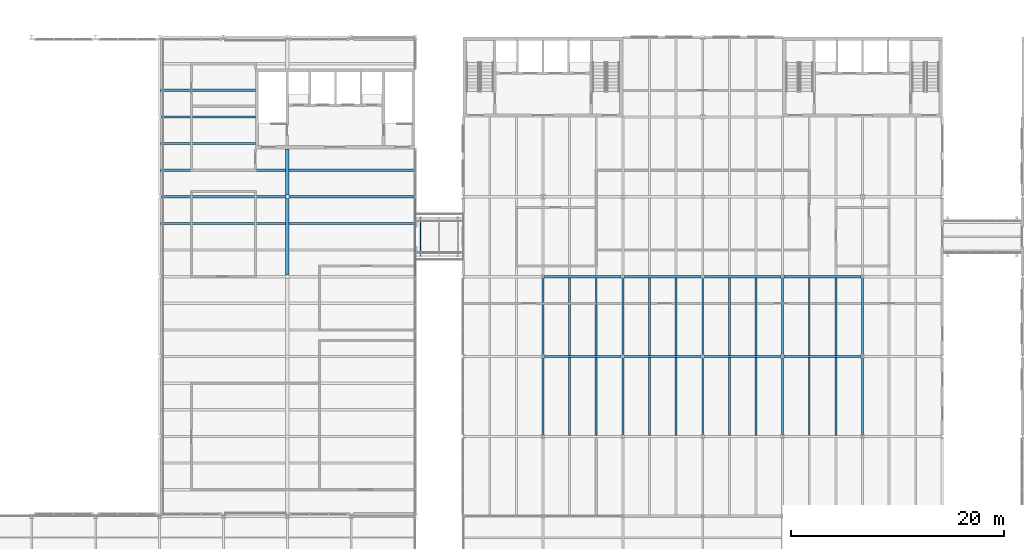
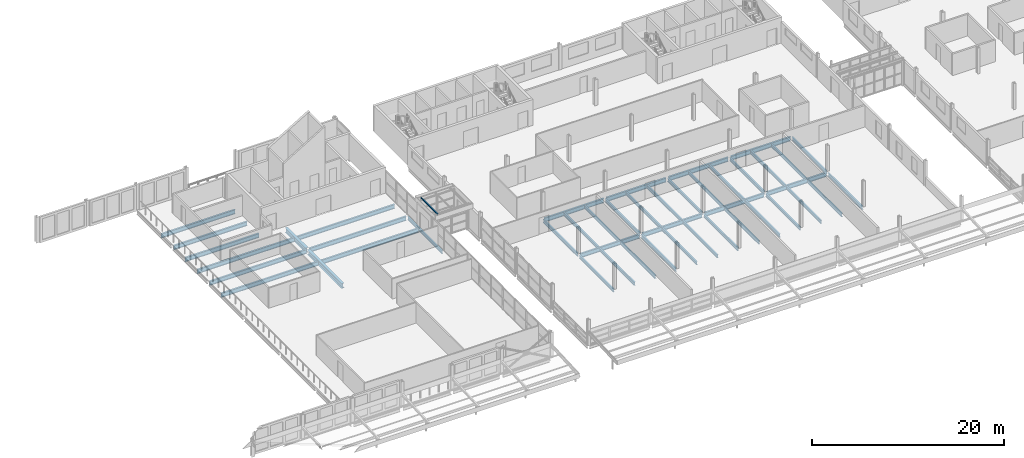
# One storey, part 41 of 214: 46 beams, 1 member.
"""IFC4 building model written with IfcOpenShell, lengths in metres."""

import ifcopenshell
import ifcopenshell.guid

model = None  # the IFC model being written
_history = None  # IfcOwnerHistory: only IFC2X3 demands one
_inside = {}  # id of a spatial element -> (the spatial element, [elements in it])
_under = {}  # id of a project, library or spatial element -> (it, [spatial elements below it])
_declared = {}  # id of a project -> (the project, [libraries it declares])
_typed = {}  # id of a type object -> (the type object, [elements of that type])
_made_of = {}  # id of a material, layer set ... -> (it, [elements and type objects made of it])


def new_model(schema):
    """Start an empty IFC model of exactly this schema.

    Asked for "IFC4X3", IfcOpenShell would pick the latest addendum, in which some entities
    have other attributes; the version numbers below select the first issue.
    IFC2X3 requires an IfcOwnerHistory on every rooted entity: one is made here for all.
    """
    global model, _history
    if schema == "IFC4X3":
        model = ifcopenshell.file(schema_version=(4, 3, 0, 0))
    else:
        model = ifcopenshell.file(schema=schema)
    _inside.clear()
    _under.clear()
    _declared.clear()
    _typed.clear()
    _made_of.clear()
    _history = None
    if model.schema == "IFC2X3":
        org = make("IfcOrganization", Name="unknown")
        user = make(
            "IfcPersonAndOrganization",
            ThePerson=make("IfcPerson", FamilyName="unknown"),
            TheOrganization=org,
        )
        app = make(
            "IfcApplication",
            ApplicationDeveloper=org,
            Version="unknown",
            ApplicationFullName="unknown",
            ApplicationIdentifier="unknown",
        )
        _history = make(
            "IfcOwnerHistory",
            OwningUser=user,
            OwningApplication=app,
            ChangeAction="ADDED",
            CreationDate=0,
        )
    return model


def make(cls, **values):
    """One entity of the class cls with the attributes given. An attribute that is None is left unset."""
    return model.create_entity(
        cls, **{name: value for name, value in values.items() if value is not None}
    )


def rooted(cls, **values):
    """An entity with a GlobalId (a new one), such as an element, a storey or a relation."""
    return make(cls, GlobalId=ifcopenshell.guid.new(), OwnerHistory=_history, **values)


def si_unit(unit_type, name, prefix=None):
    """IfcSIUnit, for example si_unit("LENGTHUNIT", "METRE", prefix="MILLI")."""
    return make("IfcSIUnit", UnitType=unit_type, Prefix=prefix, Name=name)


def assignment(units):
    """IfcUnitAssignment: the units of a project."""
    return None if units is None else make("IfcUnitAssignment", Units=units)


def point(xyz):
    """IfcCartesianPoint."""
    return None if xyz is None else make("IfcCartesianPoint", Coordinates=xyz)


def direction(xyz):
    """IfcDirection."""
    return None if xyz is None else make("IfcDirection", DirectionRatios=xyz)


def frame(location, z_axis=None, x_axis=None):
    """IfcAxis2Placement3D, a coordinate frame: its origin and axes. An axis left out is left unset."""
    return make(
        "IfcAxis2Placement3D",
        Location=point(location),
        Axis=direction(z_axis),
        RefDirection=direction(x_axis),
    )


def frame_2d(location, x_axis=None):
    """IfcAxis2Placement2D, a coordinate frame in the plane: its origin and x axis."""
    return make(
        "IfcAxis2Placement2D", Location=point(location), RefDirection=direction(x_axis)
    )


def origin():
    """The frame at (0, 0, 0) with its axes left unset."""
    return frame((0.0, 0.0, 0.0))


def origin_2d():
    """The frame at (0, 0) in the plane with its x axis left unset."""
    return frame_2d((0.0, 0.0))


def place(relative_to, where):
    """IfcLocalPlacement: puts the frame where relative to a parent placement (None: the world)."""
    return make(
        "IfcLocalPlacement", PlacementRelTo=relative_to, RelativePlacement=where
    )


def context(
    kind, dimensions, precision=None, world=None, true_north=None, identifier=None
):
    """IfcGeometricRepresentationContext, for example the 3D "Model" context."""
    return make(
        "IfcGeometricRepresentationContext",
        ContextIdentifier=identifier,
        ContextType=kind,
        CoordinateSpaceDimension=dimensions,
        Precision=precision,
        WorldCoordinateSystem=world,
        TrueNorth=true_north,
    )


def subcontext(parent, identifier, kind, view, scale=None):
    """IfcGeometricRepresentationSubContext, for example "Body" below "Model"."""
    return make(
        "IfcGeometricRepresentationSubContext",
        ContextIdentifier=identifier,
        ContextType=kind,
        ParentContext=parent,
        TargetScale=scale,
        TargetView=view,
    )


def project(units=None, contexts=None):
    """IfcProject with its units and contexts."""
    return rooted(
        "IfcProject",
        Name="project",
        RepresentationContexts=contexts,
        UnitsInContext=assignment(units),
    )


def spatial(cls, under=None, at=None, **own):
    """A site, building, storey or space (cls), placed at a placement, below another one or the project."""
    s = rooted(cls, ObjectPlacement=at, **own)
    if under is not None:
        _under.setdefault(under.id(), (under, []))[1].append(s)
    return s


def profile(cls, at=None, kind="AREA", **sizes):
    """A parametric profile (cls). Its sizes go by their IFC names, for example OverallWidth=200.0."""
    return make(cls, ProfileType=kind, Position=at, **sizes)


def i_section(**sizes):
    """IfcIShapeProfileDef."""
    return profile("IfcIShapeProfileDef", **sizes)


def extrude(swept, where, along, depth):
    """IfcExtrudedAreaSolid: the profile swept, set in the frame where, extruded along a direction by depth."""
    return make(
        "IfcExtrudedAreaSolid",
        SweptArea=swept,
        Position=where,
        ExtrudedDirection=direction(along),
        Depth=depth,
    )


def shape(context_of_items, identifier, shape_type, items):
    """IfcShapeRepresentation: the items that make up one representation, for example the "Body"."""
    return make(
        "IfcShapeRepresentation",
        ContextOfItems=context_of_items,
        RepresentationIdentifier=identifier,
        RepresentationType=shape_type,
        Items=items,
    )


def material(Name=None, Category=None):
    """IfcMaterial."""
    return make("IfcMaterial", Name=Name, Category=Category)


def material_profile(
    of_material, cross_section, Name=None, Category=None, Priority=None
):
    """IfcMaterialProfile: a cross section and its material."""
    return make(
        "IfcMaterialProfile",
        Name=Name,
        Material=of_material,
        Profile=cross_section,
        Priority=Priority,
        Category=Category,
    )


def profile_set(profiles, Name=None, composite=None):
    """IfcMaterialProfileSet."""
    return make(
        "IfcMaterialProfileSet",
        Name=Name,
        MaterialProfiles=profiles,
        CompositeProfile=composite,
    )


def made_of(thing, what):
    """Note that an element or type object is made of a material, layer set ...; save() writes the relation."""
    if what is not None:
        _made_of.setdefault(what.id(), (what, []))[1].append(thing)
    return thing


def type_object(cls, material=None, **own):
    """A type object (cls), such as IfcWallType, which elements share."""
    return made_of(rooted(cls, **own), material)


def element(
    cls,
    number,
    at=None,
    inside=None,
    cuts=None,
    type_object=None,
    material=None,
    context=None,
    identifier="Body",
    shape_type=None,
    held_by="IfcProductDefinitionShape",
    body=None,
    shapes=None,
    **own,
):
    """One element of the class cls, such as IfcWall. Its Tag is "e" and its number.

    at: its placement. inside: the storey or other place that contains it. cuts: it is an
    opening in that element (IfcRelVoidsElement). A single representation is given by context,
    identifier, shape_type and body (its items); several are given by shapes. held_by: the class
    of the entity that holds the representations. save() writes the other relations.
    """
    e = rooted(cls, Tag="e%d" % number, ObjectPlacement=at, **own)
    if body is not None:
        shapes = [shape(context, identifier, shape_type, body)]
    if shapes is not None:
        e.Representation = make(held_by, Representations=shapes)
    if inside is not None:
        _inside.setdefault(inside.id(), (inside, []))[1].append(e)
    if cuts is not None:
        rooted(
            "IfcRelVoidsElement", RelatingBuildingElement=cuts, RelatedOpeningElement=e
        )
    if type_object is not None:
        _typed.setdefault(type_object.id(), (type_object, []))[1].append(e)
    return made_of(e, material)


def aggregate(whole, parts):
    """IfcRelAggregates: a whole, such as a stair, and the parts it consists of."""
    return rooted("IfcRelAggregates", RelatingObject=whole, RelatedObjects=parts)


def save(model, path):
    """Write the relations noted so far, then the file.

    IfcRelAggregates (storeys below a building ...), IfcRelContainedInSpatialStructure (elements
    in a storey), IfcRelDefinesByType, IfcRelAssociatesMaterial and IfcRelDeclares: one each for
    every whole, place, type object, material and project.
    """
    for whole, parts in _under.values():
        aggregate(whole, parts)
    for where, things in _inside.values():
        rooted(
            "IfcRelContainedInSpatialStructure",
            RelatedElements=things,
            RelatingStructure=where,
        )
    for kind, things in _typed.values():
        rooted("IfcRelDefinesByType", RelatedObjects=things, RelatingType=kind)
    for what, things in _made_of.values():
        rooted("IfcRelAssociatesMaterial", RelatedObjects=things, RelatingMaterial=what)
    for by, libraries in _declared.values():
        rooted("IfcRelDeclares", RelatingContext=by, RelatedDefinitions=libraries)
    model.write(path)


model = new_model("IFC4")

# Units and contexts
model_context = context("Model", 3, precision=1e-05, world=origin(), true_north=direction((0.0, 1.0)))
body_context = subcontext(model_context, "Body", "Model", "MODEL_VIEW")
ifc_project = project(units=[si_unit("LENGTHUNIT", "METRE"), si_unit("AREAUNIT", "SQUARE_METRE"), si_unit("VOLUMEUNIT", "CUBIC_METRE"), si_unit("PLANEANGLEUNIT", "RADIAN"), si_unit("MASSUNIT", "GRAM", prefix="KILO")], contexts=[model_context])

# Site, building, storey
site_placement = place(None, origin())
site = spatial("IfcSite", under=ifc_project, at=site_placement, CompositionType="ELEMENT")
building_placement = place(site_placement, origin())
building = spatial("IfcBuilding", under=site, at=building_placement, Name="Parallax Yard Mobility Hub", CompositionType="ELEMENT")
storey_placement = place(building_placement, frame((0.0, 0.0, 3.300048828125)))
storey = spatial("IfcBuildingStorey", under=building, at=storey_placement, Name="L01", CompositionType="ELEMENT", Elevation=3.300048828125)

# Member
ifc_material = material(Name="Steel ASTM A992", Category="steel")
ifc_material_profile_1 = material_profile(ifc_material, i_section(OverallWidth=0.10205078125, OverallDepth=0.153076171875, WebThickness=0.005859375, FlangeThickness=0.007080078125, at=origin_2d()), Name="W150x18")
ifc_profile_set_1 = profile_set([ifc_material_profile_1], Name="Steel ASTM A992")
member_type = type_object("IfcMemberType", Name="Bridge cross rafter W150x18", PredefinedType="RAFTER", material=ifc_profile_set_1)
member_placement = place(storey_placement, frame((93.5, 31.952880859375, 3.17236328125), z_axis=(0.0, 1.0, 0.0), x_axis=(-1.0, 0.0, 0.0)))
element("IfcMember", 1, at=member_placement, inside=storey, type_object=member_type, Name="Bridge BR1 level L01 cross rafter 1", PredefinedType="RAFTER", context=body_context, shape_type="SweptSolid", body=[
    extrude(i_section(OverallWidth=0.10205078125, OverallDepth=0.153076171875, WebThickness=0.005859375, FlangeThickness=0.007080078125, at=origin_2d()), origin(), (0.0, 0.0, 1.0), 3.59423828125),
])

# Beams
ifc_material_profile_2 = material_profile(ifc_material, i_section(OverallWidth=0.177978515625, OverallDepth=0.406005859375, WebThickness=0.0078125, FlangeThickness=0.0126953125, FilletRadius=0.01025390625, at=origin_2d()), Name="W410x60")
ifc_profile_set_2 = profile_set([ifc_material_profile_2], Name="Steel ASTM A992")
beam_type_1 = type_object("IfcBeamType", Name="W410x60 edge beam", PredefinedType="SPANDREL", material=ifc_profile_set_2)
beam_1_placement = place(storey_placement, frame((93.0, 30.153564453125, -0.343017578125), z_axis=(0.0, 1.0, 0.0), x_axis=(-1.0, 0.0, 0.0)))
element("IfcBeam", 2, at=beam_1_placement, inside=storey, type_object=beam_type_1, Name="Edge beam SB1 level L01, fold line F15 of bus and taxi deck, span 4", PredefinedType="SPANDREL", context=body_context, shape_type="SweptSolid", body=[
    extrude(i_section(OverallWidth=0.177978515625, OverallDepth=0.406005859375, WebThickness=0.0078125, FlangeThickness=0.0126953125, FilletRadius=0.01025390625, at=origin_2d()), origin(), (0.0, 0.0, 1.0), 7.19287109375),
])
ifc_material_profile_3 = material_profile(ifc_material, i_section(OverallWidth=0.177978515625, OverallDepth=0.406005859375, WebThickness=0.0078125, FlangeThickness=0.0126953125, FilletRadius=0.01025390625, at=origin_2d()), Name="W410x60")
ifc_profile_set_3 = profile_set([ifc_material_profile_3], Name="Steel ASTM A992")
beam_type_2 = type_object("IfcBeamType", Name="W410x60 secondary beam", PredefinedType="JOIST", material=ifc_profile_set_3)
for number, where, z_axis, x_axis, name in (
    (3, (107.5, 15.1044921875, -0.343017578125), (0.0, 1.0, 0.0), (-1.0, 0.0, 0.0), "Secondary beam B1 level L01, 2.5 m east of line 15 of mobility service centre and workshops, span 2"),
    (4, (107.5, 22.6044921875, -0.343017578125), (0.0, 1.0, 0.0), (-1.0, 0.0, 0.0), "Secondary beam B1 level L01, 2.5 m east of line 15 of mobility service centre and workshops, span 3"),
    (5, (115.0, 15.1044921875, -0.343017578125), (0.0, 1.0, 0.0), (-1.0, 0.0, 0.0), "Secondary beam B1 level L01, 2.5 m east of line 16 of mobility service centre and workshops, span 2"),
    (6, (115.0, 22.6044921875, -0.343017578125), (0.0, 1.0, 0.0), (-1.0, 0.0, 0.0), "Secondary beam B1 level L01, 2.5 m east of line 16 of mobility service centre and workshops, span 3"),
    (7, (122.5, 15.1044921875, -0.343017578125), (0.0, 1.0, 0.0), (-1.0, 0.0, 0.0), "Secondary beam B1 level L01, 2.5 m east of line 17 of mobility service centre and workshops, span 2"),
    (8, (122.5, 22.6044921875, -0.343017578125), (0.0, 1.0, 0.0), (-1.0, 0.0, 0.0), "Secondary beam B1 level L01, 2.5 m east of line 17 of mobility service centre and workshops, span 3"),
    (9, (130.0, 15.1044921875, -0.343017578125), (0.0, 1.0, 0.0), (-1.0, 0.0, 0.0), "Secondary beam B1 level L01, 2.5 m east of line 18 of mobility service centre and workshops, span 2"),
    (10, (130.0, 22.6044921875, -0.343017578125), (0.0, 1.0, 0.0), (-1.0, 0.0, 0.0), "Secondary beam B1 level L01, 2.5 m east of line 18 of mobility service centre and workshops, span 3"),
    (11, (110.0, 15.1044921875, -0.343017578125), (0.0, 1.0, 0.0), (-1.0, 0.0, 0.0), "Secondary beam B1 level L01, 5 m east of line 15 of mobility service centre and workshops, span 2"),
    (12, (110.0, 22.6044921875, -0.343017578125), (0.0, 1.0, 0.0), (-1.0, 0.0, 0.0), "Secondary beam B1 level L01, 5 m east of line 15 of mobility service centre and workshops, span 3"),
    (13, (117.5, 15.1044921875, -0.343017578125), (0.0, 1.0, 0.0), (-1.0, 0.0, 0.0), "Secondary beam B1 level L01, 5 m east of line 16 of mobility service centre and workshops, span 2"),
    (14, (117.5, 22.6044921875, -0.343017578125), (0.0, 1.0, 0.0), (-1.0, 0.0, 0.0), "Secondary beam B1 level L01, 5 m east of line 16 of mobility service centre and workshops, span 3"),
    (15, (125.0, 15.1044921875, -0.343017578125), (0.0, 1.0, 0.0), (-1.0, 0.0, 0.0), "Secondary beam B1 level L01, 5 m east of line 17 of mobility service centre and workshops, span 2"),
    (16, (125.0, 22.6044921875, -0.343017578125), (0.0, 1.0, 0.0), (-1.0, 0.0, 0.0), "Secondary beam B1 level L01, 5 m east of line 17 of mobility service centre and workshops, span 3"),
    (17, (132.5, 15.1044921875, -0.343017578125), (0.0, 1.0, 0.0), (-1.0, 0.0, 0.0), "Secondary beam B1 level L01, 5 m east of line 18 of mobility service centre and workshops, span 2"),
    (18, (132.5, 22.6044921875, -0.343017578125), (0.0, 1.0, 0.0), (-1.0, 0.0, 0.0), "Secondary beam B1 level L01, 5 m east of line 18 of mobility service centre and workshops, span 3"),
):
    element("IfcBeam", number, at=place(storey_placement, frame(where, z_axis=z_axis, x_axis=x_axis)), inside=storey, type_object=beam_type_2, Name=name, PredefinedType="JOIST", context=body_context, shape_type="SweptSolid", body=[
        extrude(i_section(OverallWidth=0.177978515625, OverallDepth=0.406005859375, WebThickness=0.0078125, FlangeThickness=0.0126953125, FilletRadius=0.01025390625, at=origin_2d()), origin(), (0.0, 0.0, 1.0), 7.291015625),
    ])
ifc_material_profile_4 = material_profile(ifc_material, i_section(OverallWidth=0.178955078125, OverallDepth=0.408935546875, WebThickness=0.0087890625, FlangeThickness=0.014404296875, FilletRadius=0.01025390625, at=origin_2d()), Name="W410x67")
ifc_profile_set_4 = profile_set([ifc_material_profile_4], Name="Steel ASTM A992")
beam_type_3 = type_object("IfcBeamType", Name="W410x67 girder", PredefinedType="BEAM", material=ifc_profile_set_4)
for number, where, z_axis, x_axis, name in (
    (19, (105.0, 15.158935546875, -0.344482421875), (0.0, 1.0, 0.0), (-1.0, 0.0, 0.0), "Girder G1 level L01, line 15 of mobility service centre and workshops, span 2"),
    (20, (105.0, 22.658935546875, -0.344482421875), (0.0, 1.0, 0.0), (-1.0, 0.0, 0.0), "Girder G1 level L01, line 15 of mobility service centre and workshops, span 3"),
    (21, (112.5, 15.158935546875, -0.344482421875), (0.0, 1.0, 0.0), (-1.0, 0.0, 0.0), "Girder G1 level L01, line 16 of mobility service centre and workshops, span 2"),
    (22, (112.5, 22.658935546875, -0.344482421875), (0.0, 1.0, 0.0), (-1.0, 0.0, 0.0), "Girder G1 level L01, line 16 of mobility service centre and workshops, span 3"),
    (23, (120.0, 15.158935546875, -0.344482421875), (0.0, 1.0, 0.0), (-1.0, 0.0, 0.0), "Girder G1 level L01, line 17 of mobility service centre and workshops, span 2"),
    (24, (120.0, 22.658935546875, -0.344482421875), (0.0, 1.0, 0.0), (-1.0, 0.0, 0.0), "Girder G1 level L01, line 17 of mobility service centre and workshops, span 3"),
    (25, (127.5, 15.158935546875, -0.344482421875), (0.0, 1.0, 0.0), (-1.0, 0.0, 0.0), "Girder G1 level L01, line 18 of mobility service centre and workshops, span 2"),
    (26, (127.5, 22.658935546875, -0.344482421875), (0.0, 1.0, 0.0), (-1.0, 0.0, 0.0), "Girder G1 level L01, line 18 of mobility service centre and workshops, span 3"),
    (27, (135.0, 15.158935546875, -0.344482421875), (0.0, 1.0, 0.0), (-1.0, 0.0, 0.0), "Girder G1 level L01, line 19 of mobility service centre and workshops, span 2"),
    (28, (135.0, 22.658935546875, -0.344482421875), (0.0, 1.0, 0.0), (-1.0, 0.0, 0.0), "Girder G1 level L01, line 19 of mobility service centre and workshops, span 3"),
):
    element("IfcBeam", number, at=place(storey_placement, frame(where, z_axis=z_axis, x_axis=x_axis)), inside=storey, type_object=beam_type_3, Name=name, PredefinedType="BEAM", context=body_context, shape_type="SweptSolid", body=[
        extrude(i_section(OverallWidth=0.178955078125, OverallDepth=0.408935546875, WebThickness=0.0087890625, FlangeThickness=0.014404296875, FilletRadius=0.01025390625, at=origin_2d()), origin(), (0.0, 0.0, 1.0), 7.18212890625),
    ])
ifc_material_profile_5 = material_profile(ifc_material, i_section(OverallWidth=0.208984375, OverallDepth=0.532958984375, WebThickness=0.01025390625, FlangeThickness=0.015625, FilletRadius=0.0126953125, at=origin_2d()), Name="W530x92")
ifc_profile_set_5 = profile_set([ifc_material_profile_5], Name="Steel ASTM A992")
beam_type_4 = type_object("IfcBeamType", Name="W530x92 longitudinal beam", PredefinedType="BEAM", material=ifc_profile_set_5)
for number, where, z_axis, x_axis, name in (
    (29, (105.153564453125, 22.5, -0.406494140625), (1.0, 0.0, 0.0), (0.0, 1.0, 0.0), "Longitudinal beam SB6 level L01, line D of mobility service centre and workshops, span 2"),
    (30, (112.653564453125, 22.5, -0.406494140625), (1.0, 0.0, 0.0), (0.0, 1.0, 0.0), "Longitudinal beam SB6 level L01, line D of mobility service centre and workshops, span 3"),
    (31, (120.153564453125, 22.5, -0.406494140625), (1.0, 0.0, 0.0), (0.0, 1.0, 0.0), "Longitudinal beam SB6 level L01, line D of mobility service centre and workshops, span 4"),
    (32, (127.653564453125, 22.5, -0.406494140625), (1.0, 0.0, 0.0), (0.0, 1.0, 0.0), "Longitudinal beam SB6 level L01, line D of mobility service centre and workshops, span 5"),
    (33, (105.153564453125, 30.0, -0.406494140625), (1.0, 0.0, 0.0), (0.0, 1.0, 0.0), "Longitudinal beam SB6 level L01, line E of mobility service centre and workshops, span 2"),
    (34, (112.653564453125, 30.0, -0.406494140625), (1.0, 0.0, 0.0), (0.0, 1.0, 0.0), "Longitudinal beam SB6 level L01, line E of mobility service centre and workshops, span 3"),
    (35, (120.153564453125, 30.0, -0.406494140625), (1.0, 0.0, 0.0), (0.0, 1.0, 0.0), "Longitudinal beam SB6 level L01, line E of mobility service centre and workshops, span 4"),
    (36, (127.653564453125, 30.0, -0.406494140625), (1.0, 0.0, 0.0), (0.0, 1.0, 0.0), "Longitudinal beam SB6 level L01, line E of mobility service centre and workshops, span 5"),
):
    element("IfcBeam", number, at=place(storey_placement, frame(where, z_axis=z_axis, x_axis=x_axis)), inside=storey, type_object=beam_type_4, Name=name, PredefinedType="BEAM", context=body_context, shape_type="SweptSolid", body=[
        extrude(i_section(OverallWidth=0.208984375, OverallDepth=0.532958984375, WebThickness=0.01025390625, FlangeThickness=0.015625, FilletRadius=0.0126953125, at=origin_2d()), origin(), (0.0, 0.0, 1.0), 7.19287109375),
    ])
ifc_material_profile_6 = material_profile(ifc_material, i_section(OverallWidth=0.208984375, OverallDepth=0.532958984375, WebThickness=0.01025390625, FlangeThickness=0.015625, FilletRadius=0.0126953125, at=origin_2d()), Name="W530x92")
ifc_profile_set_6 = profile_set([ifc_material_profile_6], Name="Steel ASTM A992")
beam_type_5 = type_object("IfcBeamType", Name="W530x92 secondary beam", PredefinedType="JOIST", material=ifc_profile_set_6)
for number, where, z_axis, x_axis, name in (
    (37, (69.089111328125, 40.0, -0.406494140625), (1.0, 0.0, 0.0), (0.0, 1.0, 0.0), "Secondary beam B2 level L01, 2.5 m north of line F of bus and taxi deck, span 1"),
    (38, (81.16259765625, 40.0, -0.406494140625), (1.0, 0.0, 0.0), (0.0, 1.0, 0.0), "Secondary beam B2 level L01, 2.5 m north of line F of bus and taxi deck, span 2"),
):
    element("IfcBeam", number, at=place(storey_placement, frame(where, z_axis=z_axis, x_axis=x_axis)), inside=storey, type_object=beam_type_5, Name=name, PredefinedType="JOIST", context=body_context, shape_type="SweptSolid", body=[
        extrude(i_section(OverallWidth=0.208984375, OverallDepth=0.532958984375, WebThickness=0.01025390625, FlangeThickness=0.015625, FilletRadius=0.0126953125, at=origin_2d()), origin(), (0.0, 0.0, 1.0), 11.748291015625),
    ])
beam_2_placement = place(storey_placement, frame((69.089111328125, 47.5, -0.406494140625), z_axis=(1.0, 0.0, 0.0), x_axis=(0.0, 1.0, 0.0)))
element("IfcBeam", 39, at=beam_2_placement, inside=storey, type_object=beam_type_5, Name="Secondary beam B2 level L01, 2.5 m north of line G of bus and taxi deck, span 1", PredefinedType="JOIST", context=body_context, shape_type="SweptSolid", body=[
    extrude(i_section(OverallWidth=0.208984375, OverallDepth=0.532958984375, WebThickness=0.01025390625, FlangeThickness=0.015625, FilletRadius=0.0126953125, at=origin_2d()), origin(), (0.0, 0.0, 1.0), 8.910888671875),
])
for number, where, z_axis, x_axis, name in (
    (40, (69.089111328125, 35.0, -0.406494140625), (1.0, 0.0, 0.0), (0.0, 1.0, 0.0), "Secondary beam B2 level L01, 5 m north of line E of bus and taxi deck, span 1"),
    (41, (81.16259765625, 35.0, -0.406494140625), (1.0, 0.0, 0.0), (0.0, 1.0, 0.0), "Secondary beam B2 level L01, 5 m north of line E of bus and taxi deck, span 2"),
):
    element("IfcBeam", number, at=place(storey_placement, frame(where, z_axis=z_axis, x_axis=x_axis)), inside=storey, type_object=beam_type_5, Name=name, PredefinedType="JOIST", context=body_context, shape_type="SweptSolid", body=[
        extrude(i_section(OverallWidth=0.208984375, OverallDepth=0.532958984375, WebThickness=0.01025390625, FlangeThickness=0.015625, FilletRadius=0.0126953125, at=origin_2d()), origin(), (0.0, 0.0, 1.0), 11.748291015625),
    ])
beam_3_placement = place(storey_placement, frame((69.089111328125, 42.5, -0.406494140625), z_axis=(1.0, 0.0, 0.0), x_axis=(0.0, 1.0, 0.0)))
element("IfcBeam", 42, at=beam_3_placement, inside=storey, type_object=beam_type_5, Name="Secondary beam B2 level L01, 5 m north of line F of bus and taxi deck, span 1", PredefinedType="JOIST", context=body_context, shape_type="SweptSolid", body=[
    extrude(i_section(OverallWidth=0.208984375, OverallDepth=0.532958984375, WebThickness=0.01025390625, FlangeThickness=0.015625, FilletRadius=0.0126953125, at=origin_2d()), origin(), (0.0, 0.0, 1.0), 8.910888671875),
])
for number, where, z_axis, x_axis, name in (
    (43, (69.152587890625, 37.5, -0.406494140625), (1.0, 0.0, 0.0), (0.0, 1.0, 0.0), "Secondary beam B2 level L01, line F of bus and taxi deck, span 1"),
    (44, (81.152587890625, 37.5, -0.406494140625), (1.0, 0.0, 0.0), (0.0, 1.0, 0.0), "Secondary beam B2 level L01, line F of bus and taxi deck, span 2"),
):
    element("IfcBeam", number, at=place(storey_placement, frame(where, z_axis=z_axis, x_axis=x_axis)), inside=storey, type_object=beam_type_5, Name=name, PredefinedType="JOIST", context=body_context, shape_type="SweptSolid", body=[
        extrude(i_section(OverallWidth=0.208984375, OverallDepth=0.532958984375, WebThickness=0.01025390625, FlangeThickness=0.015625, FilletRadius=0.0126953125, at=origin_2d()), origin(), (0.0, 0.0, 1.0), 11.69482421875),
    ])
beam_4_placement = place(storey_placement, frame((69.152587890625, 45.0, -0.406494140625), z_axis=(1.0, 0.0, 0.0), x_axis=(0.0, 1.0, 0.0)))
element("IfcBeam", 45, at=beam_4_placement, inside=storey, type_object=beam_type_5, Name="Secondary beam B2 level L01, line G of bus and taxi deck, span 1", PredefinedType="JOIST", context=body_context, shape_type="SweptSolid", body=[
    extrude(i_section(OverallWidth=0.208984375, OverallDepth=0.532958984375, WebThickness=0.01025390625, FlangeThickness=0.015625, FilletRadius=0.0126953125, at=origin_2d()), origin(), (0.0, 0.0, 1.0), 8.847412109375),
])
ifc_material_profile_7 = material_profile(ifc_material, i_section(OverallWidth=0.324951171875, OverallDepth=0.612060546875, WebThickness=0.0126953125, FlangeThickness=0.01904296875, FilletRadius=0.0126953125, at=origin_2d()), Name="W610x155")
ifc_profile_set_7 = profile_set([ifc_material_profile_7], Name="Steel ASTM A992")
beam_type_6 = type_object("IfcBeamType", Name="W610x155 girder", PredefinedType="BEAM", material=ifc_profile_set_7)
beam_5_placement = place(storey_placement, frame((81.0, 30.153564453125, -0.446044921875), z_axis=(0.0, 1.0, 0.0), x_axis=(-1.0, 0.0, 0.0)))
element("IfcBeam", 46, at=beam_5_placement, inside=storey, type_object=beam_type_6, Name="Girder G4 level L01, fold line F13 of bus and taxi deck, span 4", PredefinedType="BEAM", context=body_context, shape_type="SweptSolid", body=[
    extrude(i_section(OverallWidth=0.324951171875, OverallDepth=0.612060546875, WebThickness=0.0126953125, FlangeThickness=0.01904296875, FilletRadius=0.0126953125, at=origin_2d()), origin(), (0.0, 0.0, 1.0), 7.19287109375),
])
beam_6_placement = place(storey_placement, frame((81.0, 37.653564453125, -0.446044921875), z_axis=(0.0, 1.0, 0.0), x_axis=(-1.0, 0.0, 0.0)))
element("IfcBeam", 47, at=beam_6_placement, inside=storey, type_object=beam_type_6, Name="Girder G4 level L01, fold line F13 of bus and taxi deck, span 5", PredefinedType="BEAM", context=body_context, shape_type="SweptSolid", body=[
    extrude(i_section(OverallWidth=0.324951171875, OverallDepth=0.612060546875, WebThickness=0.0126953125, FlangeThickness=0.01904296875, FilletRadius=0.0126953125, at=origin_2d()), origin(), (0.0, 0.0, 1.0), 4.346435546875),
])

save(model, "model.ifc")
